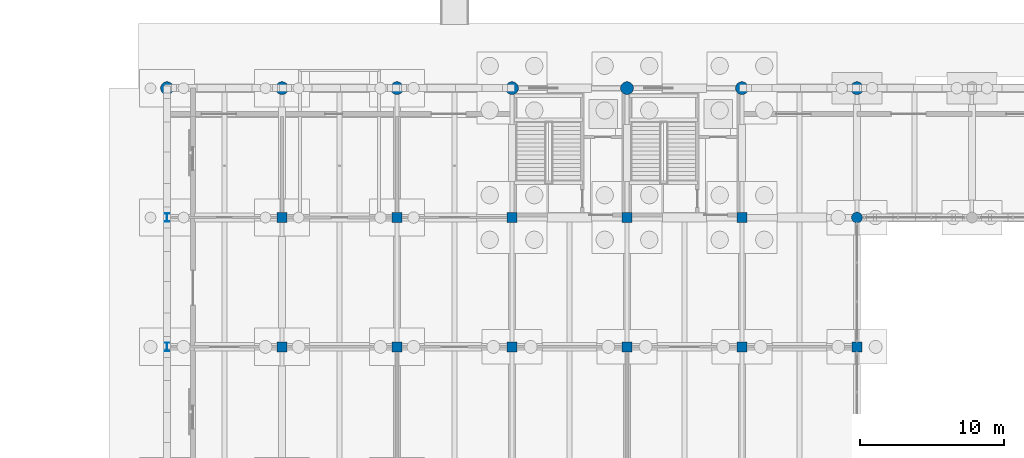
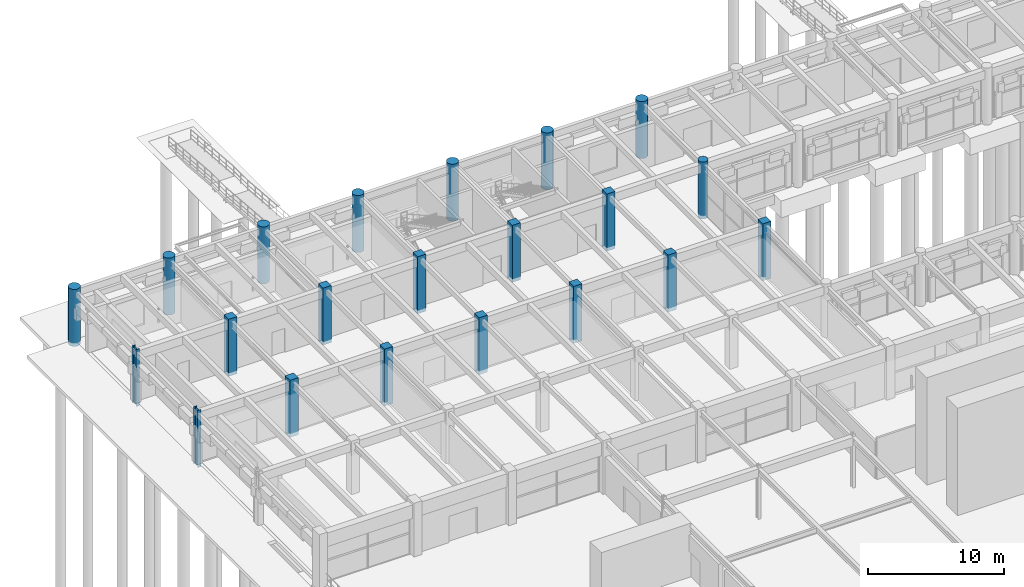
# One storey, part 16 of 147: 21 columns.
"""IFC4 building model written with IfcOpenShell, lengths in metres."""

from ifc_helpers import new_model, si_unit, direction, frame, origin, origin_2d, place, context, subcontext, project, spatial, rectangle, circle, i_section, extrude, material, material_profile, profile_set, type_object, element, save


model = new_model("IFC4")

# Units and contexts
model_context = context("Model", 3, precision=1e-05, world=origin(), true_north=direction((0.0, 1.0)))
body_context = subcontext(model_context, "Body", "Model", "MODEL_VIEW")
ifc_project = project(units=[si_unit("LENGTHUNIT", "METRE"), si_unit("AREAUNIT", "SQUARE_METRE"), si_unit("VOLUMEUNIT", "CUBIC_METRE"), si_unit("PLANEANGLEUNIT", "RADIAN"), si_unit("MASSUNIT", "GRAM", prefix="KILO")], contexts=[model_context])

# Site, building, storey
site_placement = place(None, origin())
site = spatial("IfcSite", under=ifc_project, at=site_placement, CompositionType="ELEMENT")
building_placement = place(site_placement, origin())
building = spatial("IfcBuilding", under=site, at=building_placement, Name="Varnabhumi Central Station", CompositionType="ELEMENT")
storey_placement = place(building_placement, origin())
storey = spatial("IfcBuildingStorey", under=building, at=storey_placement, Name="L00", CompositionType="ELEMENT", Elevation=0.0)

# Columns
ifc_material_1 = material(Name="Concrete M40", Category="concrete")
ifc_material_profile_1 = material_profile(ifc_material_1, rectangle(XDim=0.699951171875, YDim=0.699951171875, at=origin_2d()), Name="Concrete M40", Category="concrete")
ifc_profile_set_1 = profile_set([ifc_material_profile_1], Name="Concrete M40")
column_type_1 = type_object("IfcColumnType", Name="COL-NORTH-700", PredefinedType="COLUMN", material=ifc_profile_set_1)
for number, where, z_axis, x_axis, name in (
    (1, (8.0, 98.0, -0.300048828125), (0.0, 0.0, 1.0), (1.0, 0.0, 0.0), "Column L00-2M"),
    (2, (8.0, 107.0, -0.300048828125), (0.0, 0.0, 1.0), (1.0, 0.0, 0.0), "Column L00-2N"),
    (3, (16.0, 98.0, -0.300048828125), (0.0, 0.0, 1.0), (1.0, 0.0, 0.0), "Column L00-3M"),
    (4, (16.0, 107.0, -0.300048828125), (0.0, 0.0, 1.0), (1.0, 0.0, 0.0), "Column L00-3N"),
    (5, (24.0, 98.0, -0.300048828125), (0.0, 0.0, 1.0), (1.0, 0.0, 0.0), "Column L00-4M"),
    (6, (24.0, 107.0, -0.300048828125), (0.0, 0.0, 1.0), (1.0, 0.0, 0.0), "Column L00-4N"),
    (7, (32.0, 98.0, -0.300048828125), (0.0, 0.0, 1.0), (1.0, 0.0, 0.0), "Column L00-5M"),
    (8, (32.0, 107.0, -0.300048828125), (0.0, 0.0, 1.0), (1.0, 0.0, 0.0), "Column L00-5N"),
    (9, (40.0, 98.0, -0.300048828125), (0.0, 0.0, 1.0), (1.0, 0.0, 0.0), "Column L00-6M"),
    (10, (40.0, 107.0, -0.300048828125), (0.0, 0.0, 1.0), (1.0, 0.0, 0.0), "Column L00-6N"),
    (11, (48.0, 98.0, -0.300048828125), (0.0, 0.0, 1.0), (1.0, 0.0, 0.0), "Column L00-7M"),
):
    element("IfcColumn", number, at=place(storey_placement, frame(where, z_axis=z_axis, x_axis=x_axis)), inside=storey, type_object=column_type_1, Name=name, PredefinedType="COLUMN", context=body_context, shape_type="SweptSolid", body=[
        extrude(rectangle(XDim=0.699951171875, YDim=0.699951171875, at=origin_2d()), origin(), (0.0, 0.0, 1.0), 5.10009765625),
    ])
ifc_material_profile_2 = material_profile(ifc_material_1, circle(Radius=0.375, at=origin_2d()), Name="Concrete M40", Category="concrete")
ifc_profile_set_2 = profile_set([ifc_material_profile_2], Name="Concrete M40")
column_type_2 = type_object("IfcColumnType", Name="COL-PATIO-D750", PredefinedType="PILASTER", material=ifc_profile_set_2)
column_placement = place(storey_placement, frame((48.0, 107.0, -0.300048828125), z_axis=(0.0, 0.0, 1.0), x_axis=(1.0, 0.0, 0.0)))
element("IfcColumn", 12, at=column_placement, inside=storey, type_object=column_type_2, Name="Column L00-7N", PredefinedType="PILASTER", context=body_context, shape_type="SweptSolid", body=[
    extrude(circle(Radius=0.375, at=origin_2d()), origin(), (0.0, 0.0, 1.0), 5.10009765625),
])
ifc_material_profile_3 = material_profile(ifc_material_1, circle(Radius=0.449951171875, at=origin_2d()), Name="Concrete M40", Category="concrete")
ifc_profile_set_3 = profile_set([ifc_material_profile_3], Name="Concrete M40")
column_type_3 = type_object("IfcColumnType", Name="COL-PORTAL-D900", PredefinedType="PILASTER", material=ifc_profile_set_3)
for number, where, z_axis, x_axis, name in (
    (13, (0.0, 116.0, -0.300048828125), (0.0, 0.0, 1.0), (1.0, 0.0, 0.0), "Column L00-1P"),
    (14, (8.0, 116.0, -0.300048828125), (0.0, 0.0, 1.0), (1.0, 0.0, 0.0), "Column L00-2P"),
    (15, (16.0, 116.0, -0.300048828125), (0.0, 0.0, 1.0), (1.0, 0.0, 0.0), "Column L00-3P"),
    (16, (24.0, 116.0, -0.300048828125), (0.0, 0.0, 1.0), (1.0, 0.0, 0.0), "Column L00-4P"),
    (17, (32.0, 116.0, -0.300048828125), (0.0, 0.0, 1.0), (1.0, 0.0, 0.0), "Column L00-5P"),
    (18, (40.0, 116.0, -0.300048828125), (0.0, 0.0, 1.0), (1.0, 0.0, 0.0), "Column L00-6P"),
    (19, (48.0, 116.0, -0.300048828125), (0.0, 0.0, 1.0), (1.0, 0.0, 0.0), "Column L00-7P"),
):
    element("IfcColumn", number, at=place(storey_placement, frame(where, z_axis=z_axis, x_axis=x_axis)), inside=storey, type_object=column_type_3, Name=name, PredefinedType="PILASTER", context=body_context, shape_type="SweptSolid", body=[
        extrude(circle(Radius=0.449951171875, at=origin_2d()), origin(), (0.0, 0.0, 1.0), 5.10009765625),
    ])
ifc_material_2 = material(Name="Structural steel E350", Category="steel")
ifc_material_profile_4 = material_profile(ifc_material_2, i_section(OverallWidth=0.300048828125, OverallDepth=0.60009765625, WebThickness=0.015380859375, FlangeThickness=0.030029296875, FilletRadius=0.027099609375, at=origin_2d()), Name="Structural steel E350", Category="steel")
ifc_profile_set_4 = profile_set([ifc_material_profile_4], Name="Structural steel E350")
column_type_4 = type_object("IfcColumnType", Name="COL-STL-WPB600", PredefinedType="COLUMN", material=ifc_profile_set_4)
for number, where, z_axis, x_axis, name in (
    (20, (0.0, 98.0, -0.300048828125), (0.0, 0.0, 1.0), (1.0, 0.0, 0.0), "Column L00-1M"),
    (21, (0.0, 107.0, -0.300048828125), (0.0, 0.0, 1.0), (1.0, 0.0, 0.0), "Column L00-1N"),
):
    element("IfcColumn", number, at=place(storey_placement, frame(where, z_axis=z_axis, x_axis=x_axis)), inside=storey, type_object=column_type_4, Name=name, PredefinedType="COLUMN", context=body_context, shape_type="SweptSolid", body=[
        extrude(i_section(OverallWidth=0.300048828125, OverallDepth=0.60009765625, WebThickness=0.015380859375, FlangeThickness=0.030029296875, FilletRadius=0.027099609375, at=origin_2d()), origin(), (0.0, 0.0, 1.0), 5.10009765625),
    ])

save(model, "model.ifc")
